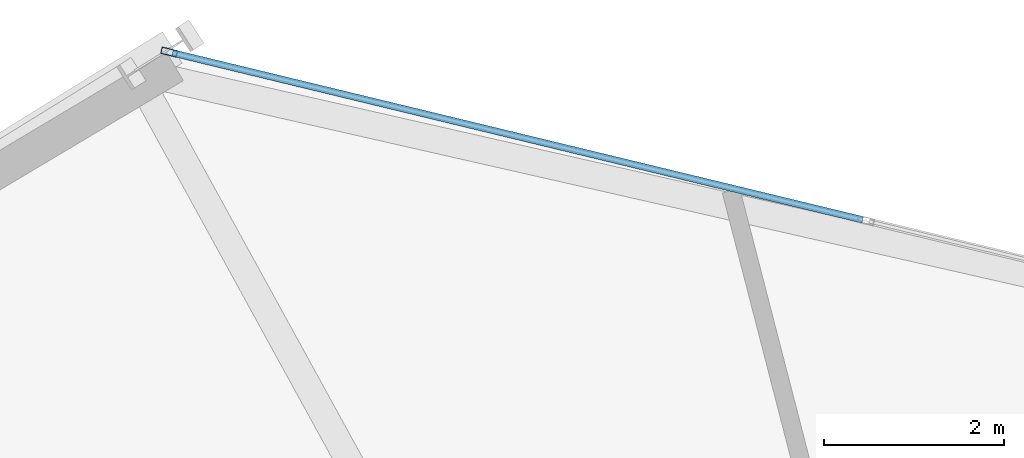
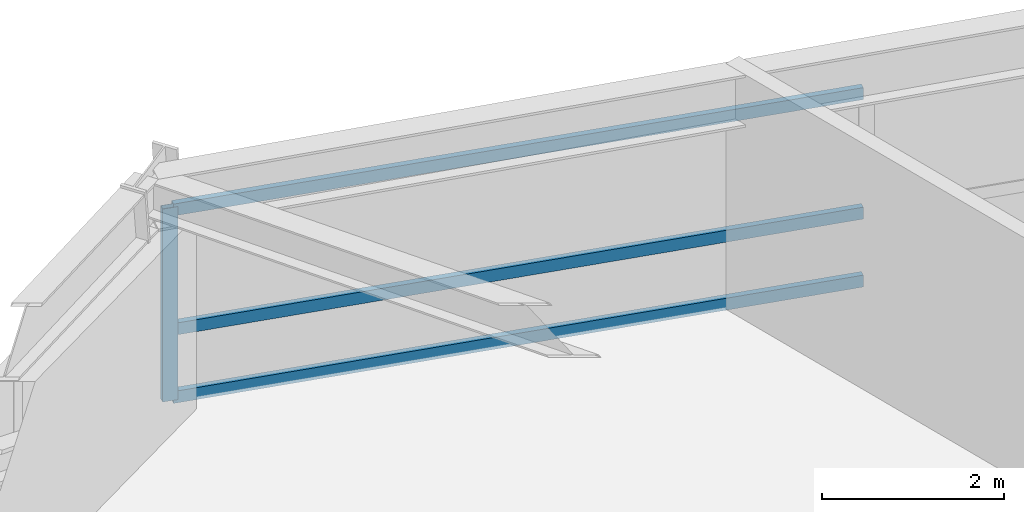
# One storey, part 10 of 24: 4 members, 1 element without a shape of its own.
"""IFC4 building model written with IfcOpenShell, lengths in metres."""

from ifc_helpers import new_model, si_unit, direction, frame, origin, origin_2d, place, context, subcontext, project, spatial, hollow_rectangle, extrude, source, transform, mapped, material, material_profile, profile_set, type_object, element, aggregate, save


model = new_model("IFC4")

# Units and contexts
model_context = context("Model", 3, precision=1e-05, world=origin(), true_north=direction((0.0, 1.0)))
body_context = subcontext(model_context, "Body", "Model", "MODEL_VIEW")
ifc_project = project(units=[si_unit("LENGTHUNIT", "METRE"), si_unit("AREAUNIT", "SQUARE_METRE"), si_unit("VOLUMEUNIT", "CUBIC_METRE"), si_unit("PLANEANGLEUNIT", "RADIAN"), si_unit("MASSUNIT", "GRAM", prefix="KILO")], contexts=[model_context])

# Site, building, storey
site_placement = place(None, origin())
site = spatial("IfcSite", under=ifc_project, at=site_placement, CompositionType="ELEMENT")
building_placement = place(site_placement, origin())
building = spatial("IfcBuilding", under=site, at=building_placement, Name="Olszyna Solenne Hotel", CompositionType="ELEMENT")
storey_placement = place(building_placement, frame((0.0, 0.0, 29.300048828125)))
storey = spatial("IfcBuildingStorey", under=building, at=storey_placement, Name="L06", CompositionType="ELEMENT", Elevation=29.300048828125)

# Curtain wall, members
ifc_material = material(Name="Anodised bronze aluminium", Category="aluminium")
curtain_wall_type = type_object("IfcCurtainWallType", Name="CW-SYS-2", PredefinedType="NOTDEFINED", material=ifc_material)
curtain_wall_placement = place(storey_placement, origin())
curtain_wall = element("IfcCurtainWall", 1, at=curtain_wall_placement, inside=storey, type_object=curtain_wall_type, Name="Unitised curtain wall CW-SYS-2 CW-L06-02", PredefinedType="NOTDEFINED")
ifc_material_profile_1 = material_profile(ifc_material, hollow_rectangle(XDim=0.074951171875, YDim=0.179931640625, WallThickness=0.00439453125, at=origin_2d()), Name="MULL 180x75x4.5", Category="load-bearing")
ifc_profile_set_1 = profile_set([ifc_material_profile_1], Name="Anodised bronze aluminium")
member_type_1 = type_object("IfcMemberType", Name="CW-M2", PredefinedType="MULLION", material=ifc_profile_set_1)
shared_shape_1 = source(origin(), body_context, "Body", "SweptSolid", [
    extrude(hollow_rectangle(XDim=0.074951171875, YDim=0.179931640625, WallThickness=0.00439453125, at=origin_2d()), origin(), (0.0, 0.0, 1.0), 2.592041015625),
])
member_1_placement = place(storey_placement, frame((26.50048828125, 48.454345703125, 0.0), z_axis=(0.0, 0.0, 1.0), x_axis=(0.235108450794, 0.971969143731, 0.0)))
member_1 = element("IfcMember", 2, at=member_1_placement, type_object=member_type_1, Name="Curtain-wall mullion CW-M2 CM-L06-02-01", PredefinedType="MULLION", context=body_context, shape_type="MappedRepresentation", body=[
    mapped(shared_shape_1, transform((0.0, 0.0, 0.0), x_axis=(1.0, 0.0, 0.0), y_axis=(0.0, 1.0, 0.0), z_axis=(0.0, 0.0, 1.0), scale=1.0)),
])
ifc_material_profile_2 = material_profile(ifc_material, hollow_rectangle(XDim=0.074951171875, YDim=0.159912109375, WallThickness=0.00390625, at=origin_2d()), Name="TRAN 160x75x4", Category="load-bearing")
ifc_profile_set_2 = profile_set([ifc_material_profile_2], Name="Anodised bronze aluminium")
member_type_2 = type_object("IfcMemberType", Name="CW-T1", PredefinedType="USERDEFINED", material=ifc_profile_set_2)
shared_shape_2 = source(origin(), body_context, "Body", "SweptSolid", [
    extrude(hollow_rectangle(XDim=0.074951171875, YDim=0.159912109375, WallThickness=0.00390625, at=origin_2d()), origin(), (0.0, 0.0, 1.0), 7.908935546875),
])
member_2_placement = place(storey_placement, frame((26.537109375, 48.445556640625, 0.037353515625), z_axis=(0.971964577287, -0.235127328269, 0.0), x_axis=(0.235127328269, 0.971964577287, 0.0)))
member_2 = element("IfcMember", 3, at=member_2_placement, type_object=member_type_2, Name="Curtain-wall transom CW-T1 CT-L06-02-01", ObjectType="TRANSOM", PredefinedType="USERDEFINED", context=body_context, shape_type="MappedRepresentation", body=[
    mapped(shared_shape_2, transform((0.0, 0.0, 0.0), x_axis=(1.0, 0.0, 0.0), y_axis=(0.0, 1.0, 0.0), z_axis=(0.0, 0.0, 1.0), scale=1.0)),
])
member_3_placement = place(storey_placement, frame((26.537109375, 48.445556640625, 0.949951171875), z_axis=(0.971964577287, -0.235127328269, 0.0), x_axis=(0.235127328269, 0.971964577287, 0.0)))
member_3 = element("IfcMember", 4, at=member_3_placement, type_object=member_type_2, Name="Curtain-wall transom CW-T1 CT-L06-02-02", ObjectType="TRANSOM", PredefinedType="USERDEFINED", context=body_context, shape_type="MappedRepresentation", body=[
    mapped(shared_shape_2, transform((0.0, 0.0, 0.0), x_axis=(1.0, 0.0, 0.0), y_axis=(0.0, 1.0, 0.0), z_axis=(0.0, 0.0, 1.0), scale=1.0)),
])
member_4_placement = place(storey_placement, frame((26.537109375, 48.445556640625, 2.554443359375), z_axis=(0.971964577287, -0.235127328269, 0.0), x_axis=(0.235127328269, 0.971964577287, 0.0)))
member_4 = element("IfcMember", 5, at=member_4_placement, type_object=member_type_2, Name="Curtain-wall transom CW-T1 CT-L06-02-03", ObjectType="TRANSOM", PredefinedType="USERDEFINED", context=body_context, shape_type="MappedRepresentation", body=[
    mapped(shared_shape_2, transform((0.0, 0.0, 0.0), x_axis=(1.0, 0.0, 0.0), y_axis=(0.0, 1.0, 0.0), z_axis=(0.0, 0.0, 1.0), scale=1.0)),
])
aggregate(curtain_wall, [member_1, member_2, member_3, member_4])

save(model, "model.ifc")
